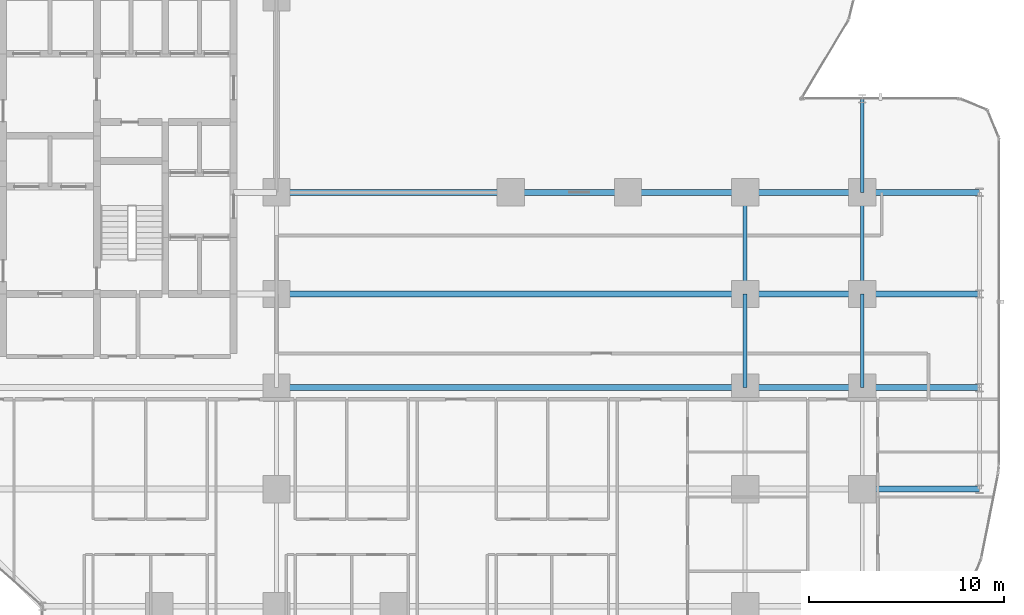
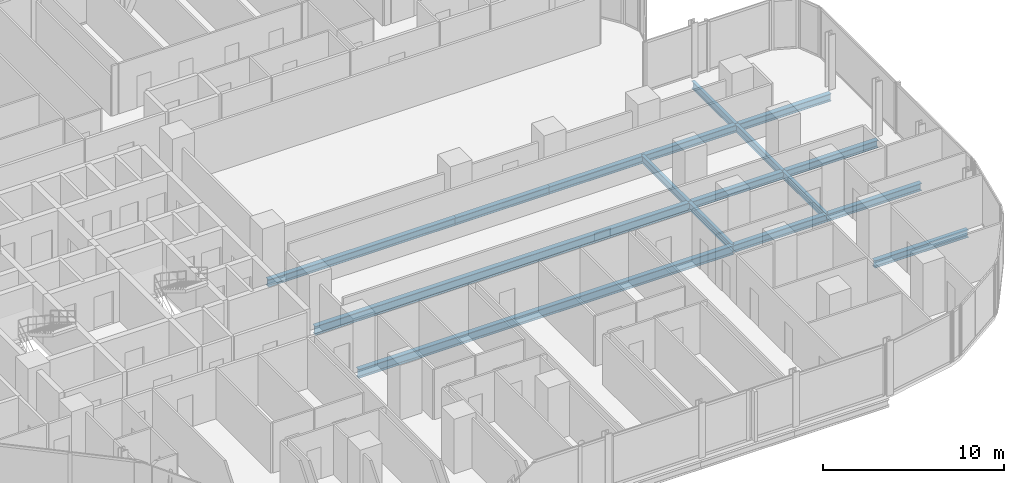
# One storey, part 10 of 34: 17 beams.
"""IFC4 building model written with IfcOpenShell, lengths in metres."""

from ifc_helpers import new_model, si_unit, direction, frame, origin, origin_2d, place, context, subcontext, project, spatial, i_section, extrude, material, material_profile, profile_set, type_object, element, save


model = new_model("IFC4")

# Units and contexts
model_context = context("Model", 3, precision=1e-05, world=origin(), true_north=direction((0.0, 1.0)))
body_context = subcontext(model_context, "Body", "Model", "MODEL_VIEW")
ifc_project = project(units=[si_unit("LENGTHUNIT", "METRE"), si_unit("AREAUNIT", "SQUARE_METRE"), si_unit("VOLUMEUNIT", "CUBIC_METRE"), si_unit("PLANEANGLEUNIT", "RADIAN"), si_unit("MASSUNIT", "GRAM", prefix="KILO")], contexts=[model_context])

# Site, building, storey
site_placement = place(None, origin())
site = spatial("IfcSite", under=ifc_project, at=site_placement, CompositionType="ELEMENT")
building_placement = place(site_placement, origin())
building = spatial("IfcBuilding", under=site, at=building_placement, Name="Keshet Zoharim Tower", CompositionType="ELEMENT")
storey_placement = place(building_placement, frame((0.0, 0.0, 31.39990234375)))
storey = spatial("IfcBuildingStorey", under=building, at=storey_placement, Name="L06", CompositionType="ELEMENT", Elevation=31.39990234375)

# Beams
ifc_material = material(Name="Steel S355", Category="steel")
ifc_material_profile_1 = material_profile(ifc_material, i_section(OverallWidth=0.300048828125, OverallDepth=0.60009765625, WebThickness=0.015380859375, FlangeThickness=0.030029296875, FilletRadius=0.027099609375, at=origin_2d()), Name="HEB600")
ifc_profile_set_1 = profile_set([ifc_material_profile_1], Name="Steel S355")
beam_type_1 = type_object("IfcBeamType", Name="BM-LNG-HB600", PredefinedType="BEAM", material=ifc_profile_set_1)
for number, where, z_axis, x_axis, name in (
    (1, (33.0, 17.89990234375, -0.614990234375), (1.0, 0.0, 0.0), (0.0, 1.0, 0.0), "L06 Primary Girder X-017"),
    (2, (33.0, 22.699951171875, -0.614990234375), (1.0, 0.0, 0.0), (0.0, 1.0, 0.0), "L06 Primary Girder X-020"),
):
    element("IfcBeam", number, at=place(storey_placement, frame(where, z_axis=z_axis, x_axis=x_axis)), inside=storey, type_object=beam_type_1, Name=name, PredefinedType="BEAM", context=body_context, shape_type="SweptSolid", body=[
        extrude(i_section(OverallWidth=0.300048828125, OverallDepth=0.60009765625, WebThickness=0.015380859375, FlangeThickness=0.030029296875, FilletRadius=0.027099609375, at=origin_2d()), origin(), (0.0, 0.0, 1.0), 24.0),
    ])
ifc_material_profile_2 = material_profile(ifc_material, i_section(OverallWidth=0.300048828125, OverallDepth=0.5, WebThickness=0.014404296875, FlangeThickness=0.028076171875, FilletRadius=0.027099609375, at=origin_2d()), Name="HEB500")
ifc_profile_set_2 = profile_set([ifc_material_profile_2], Name="Steel S355")
beam_type_2 = type_object("IfcBeamType", Name="BM-MED-HB500", PredefinedType="BEAM", material=ifc_profile_set_2)
beam_1_placement = place(storey_placement, frame((33.0, 27.89990234375, -0.56494140625), z_axis=(1.0, 0.0, 0.0), x_axis=(0.0, 1.0, 0.0)))
element("IfcBeam", 3, at=beam_1_placement, inside=storey, type_object=beam_type_2, Name="L06 Primary Girder X-023", PredefinedType="BEAM", context=body_context, shape_type="SweptSolid", body=[
    extrude(i_section(OverallWidth=0.300048828125, OverallDepth=0.5, WebThickness=0.014404296875, FlangeThickness=0.028076171875, FilletRadius=0.027099609375, at=origin_2d()), origin(), (0.0, 0.0, 1.0), 12.0),
])
ifc_material_profile_3 = material_profile(ifc_material, i_section(OverallWidth=0.199951171875, OverallDepth=0.5, WebThickness=0.01025390625, FlangeThickness=0.01611328125, FilletRadius=0.02099609375, at=origin_2d()), Name="IPE500")
ifc_profile_set_3 = profile_set([ifc_material_profile_3], Name="Steel S355")
beam_type_3 = type_object("IfcBeamType", Name="BM-PRI-IP500", PredefinedType="BEAM", material=ifc_profile_set_3)
beam_2_placement = place(storey_placement, frame((57.0, 17.89990234375, -0.56494140625), z_axis=(0.0, 1.0, 0.0), x_axis=(-1.0, 0.0, 0.0)))
element("IfcBeam", 4, at=beam_2_placement, inside=storey, type_object=beam_type_3, Name="L06 Primary Girder Y-016", PredefinedType="BEAM", context=body_context, shape_type="SweptSolid", body=[
    extrude(i_section(OverallWidth=0.199951171875, OverallDepth=0.5, WebThickness=0.01025390625, FlangeThickness=0.01611328125, FilletRadius=0.02099609375, at=origin_2d()), origin(), (0.0, 0.0, 1.0), 4.800048828125),
])
beam_3_placement = place(storey_placement, frame((57.0, 22.699951171875, -0.56494140625), z_axis=(0.0, 1.0, 0.0), x_axis=(-1.0, 0.0, 0.0)))
element("IfcBeam", 5, at=beam_3_placement, inside=storey, type_object=beam_type_3, Name="L06 Primary Girder Y-017", PredefinedType="BEAM", context=body_context, shape_type="SweptSolid", body=[
    extrude(i_section(OverallWidth=0.199951171875, OverallDepth=0.5, WebThickness=0.01025390625, FlangeThickness=0.01611328125, FilletRadius=0.02099609375, at=origin_2d()), origin(), (0.0, 0.0, 1.0), 5.199951171875),
])
beam_4_placement = place(storey_placement, frame((63.0, 17.89990234375, -0.56494140625), z_axis=(0.0, 1.0, 0.0), x_axis=(-1.0, 0.0, 0.0)))
element("IfcBeam", 6, at=beam_4_placement, inside=storey, type_object=beam_type_3, Name="L06 Primary Girder Y-020", PredefinedType="BEAM", context=body_context, shape_type="SweptSolid", body=[
    extrude(i_section(OverallWidth=0.199951171875, OverallDepth=0.5, WebThickness=0.01025390625, FlangeThickness=0.01611328125, FilletRadius=0.02099609375, at=origin_2d()), origin(), (0.0, 0.0, 1.0), 4.800048828125),
])
beam_5_placement = place(storey_placement, frame((63.0, 22.699951171875, -0.56494140625), z_axis=(0.0, 1.0, 0.0), x_axis=(-1.0, 0.0, 0.0)))
element("IfcBeam", 7, at=beam_5_placement, inside=storey, type_object=beam_type_3, Name="L06 Primary Girder Y-021", PredefinedType="BEAM", context=body_context, shape_type="SweptSolid", body=[
    extrude(i_section(OverallWidth=0.199951171875, OverallDepth=0.5, WebThickness=0.01025390625, FlangeThickness=0.01611328125, FilletRadius=0.02099609375, at=origin_2d()), origin(), (0.0, 0.0, 1.0), 5.199951171875),
])
beam_6_placement = place(storey_placement, frame((63.0, 27.89990234375, -0.56494140625), z_axis=(0.0, 1.0, 0.0), x_axis=(-1.0, 0.0, 0.0)))
element("IfcBeam", 8, at=beam_6_placement, inside=storey, type_object=beam_type_3, Name="L06 Primary Girder Y-022", PredefinedType="BEAM", context=body_context, shape_type="SweptSolid", body=[
    extrude(i_section(OverallWidth=0.199951171875, OverallDepth=0.5, WebThickness=0.01025390625, FlangeThickness=0.01611328125, FilletRadius=0.02099609375, at=origin_2d()), origin(), (0.0, 0.0, 1.0), 4.800048828125),
])
ifc_material_profile_4 = material_profile(ifc_material, i_section(OverallWidth=0.300048828125, OverallDepth=0.5, WebThickness=0.014404296875, FlangeThickness=0.028076171875, FilletRadius=0.027099609375, at=origin_2d()), Name="HEB500")
ifc_profile_set_4 = profile_set([ifc_material_profile_4], Name="Steel S355")
beam_type_4 = type_object("IfcBeamType", Name="BM-WEB-HB500", PredefinedType="BEAM", material=ifc_profile_set_4)
for number, where, z_axis, x_axis, name in (
    (9, (63.0, 12.699951171875, -0.56494140625), (1.0, 0.0, 0.0), (0.0, 1.0, 0.0), "L06 Primary Girder X-014"),
    (10, (57.0, 17.89990234375, -0.56494140625), (1.0, 0.0, 0.0), (0.0, 1.0, 0.0), "L06 Primary Girder X-018"),
    (11, (63.0, 17.89990234375, -0.56494140625), (1.0, 0.0, 0.0), (0.0, 1.0, 0.0), "L06 Primary Girder X-019"),
    (12, (57.0, 22.699951171875, -0.56494140625), (1.0, 0.0, 0.0), (0.0, 1.0, 0.0), "L06 Primary Girder X-021"),
    (13, (63.0, 22.699951171875, -0.56494140625), (1.0, 0.0, 0.0), (0.0, 1.0, 0.0), "L06 Primary Girder X-022"),
    (14, (45.0, 27.89990234375, -0.56494140625), (1.0, 0.0, 0.0), (0.0, 1.0, 0.0), "L06 Primary Girder X-024"),
    (15, (51.0, 27.89990234375, -0.56494140625), (1.0, 0.0, 0.0), (0.0, 1.0, 0.0), "L06 Primary Girder X-025"),
    (16, (57.0, 27.89990234375, -0.56494140625), (1.0, 0.0, 0.0), (0.0, 1.0, 0.0), "L06 Primary Girder X-026"),
    (17, (63.0, 27.89990234375, -0.56494140625), (1.0, 0.0, 0.0), (0.0, 1.0, 0.0), "L06 Primary Girder X-027"),
):
    element("IfcBeam", number, at=place(storey_placement, frame(where, z_axis=z_axis, x_axis=x_axis)), inside=storey, type_object=beam_type_4, Name=name, PredefinedType="BEAM", context=body_context, shape_type="SweptSolid", body=[
        extrude(i_section(OverallWidth=0.300048828125, OverallDepth=0.5, WebThickness=0.014404296875, FlangeThickness=0.028076171875, FilletRadius=0.027099609375, at=origin_2d()), origin(), (0.0, 0.0, 1.0), 6.0),
    ])

save(model, "model.ifc")
